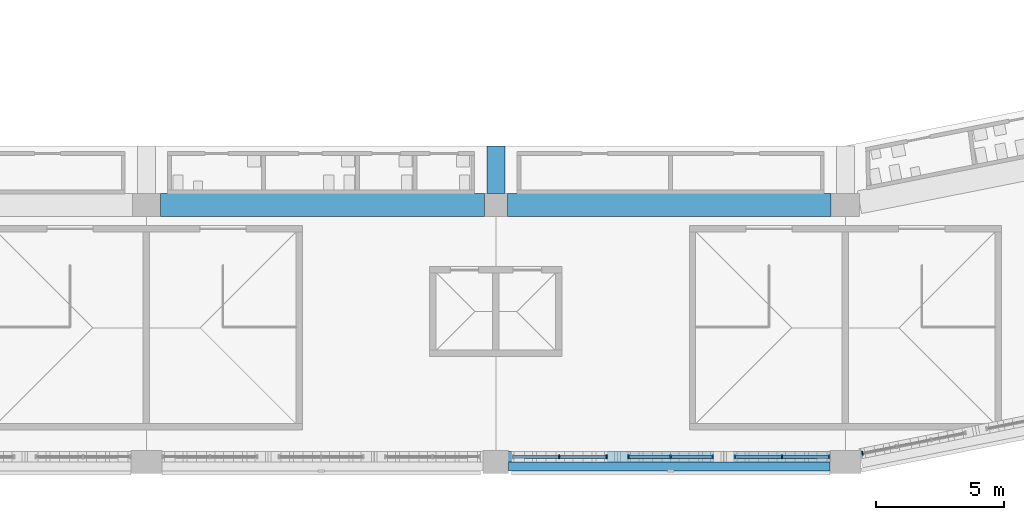
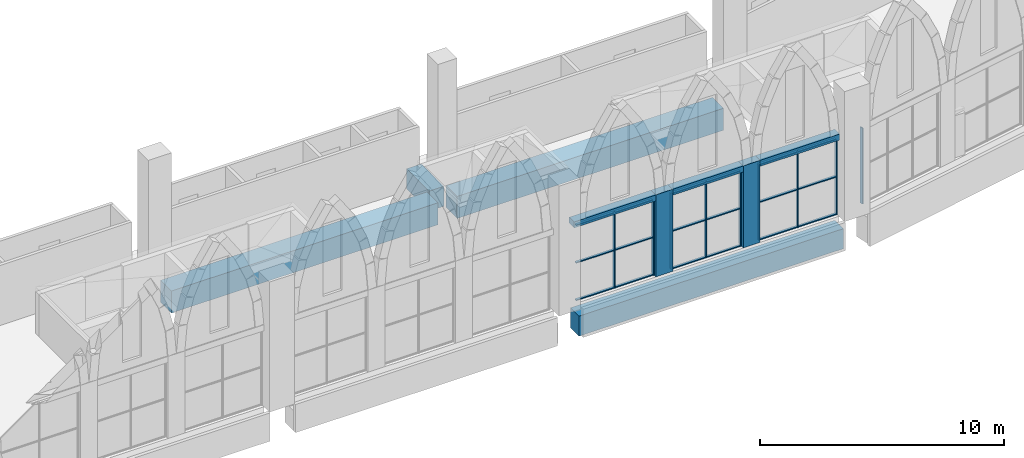
# One storey, part 11 of 130: 29 members, 7 beams, 4 elements without a shape of their own.
"""IFC4 building model written with IfcOpenShell, lengths in metres."""

from ifc_helpers import new_model, si_unit, direction, frame, origin, origin_2d, place, context, subcontext, project, spatial, rectangle, extrude, material, material_profile, profile_set, type_object, element, aggregate, save


model = new_model("IFC4")

# Units and contexts
model_context = context("Model", 3, precision=1e-05, world=origin(), true_north=direction((0.0, 1.0)))
body_context = subcontext(model_context, "Body", "Model", "MODEL_VIEW")
ifc_project = project(units=[si_unit("LENGTHUNIT", "METRE"), si_unit("AREAUNIT", "SQUARE_METRE"), si_unit("VOLUMEUNIT", "CUBIC_METRE"), si_unit("PLANEANGLEUNIT", "RADIAN"), si_unit("MASSUNIT", "GRAM", prefix="KILO")], contexts=[model_context])

# Site, building, storey
site_placement = place(None, origin())
site = spatial("IfcSite", under=ifc_project, at=site_placement, CompositionType="ELEMENT")
building_placement = place(site_placement, origin())
building = spatial("IfcBuilding", under=site, at=building_placement, Name="Ogive Plaza Stadium", CompositionType="ELEMENT")
storey_placement = place(building_placement, frame((0.0, 0.0, 22.5)))
storey = spatial("IfcBuildingStorey", under=building, at=storey_placement, Name="L05", CompositionType="ELEMENT", Elevation=22.5)

# Curtain wall, member
ifc_material_1 = material(Name="Bronze-anodised aluminium with laminated glass", Category="aluminium")
curtain_wall_type = type_object("IfcCurtainWallType", Name="Lancet curtain wall", PredefinedType="NOTDEFINED", material=ifc_material_1)
curtain_wall_1_placement = place(storey_placement, origin())
curtain_wall_1 = element("IfcCurtainWall", 1, at=curtain_wall_1_placement, inside=storey, type_object=curtain_wall_type, Name="CURTAIN WALL B11 L05", PredefinedType="NOTDEFINED")
ifc_material_2 = material(Name="Bronze-anodised aluminium", Category="aluminium")
ifc_material_profile_1 = material_profile(ifc_material_2, rectangle(XDim=0.14990234375, YDim=0.050048828125, at=origin_2d()), Name="AL 150x50")
ifc_profile_set_1 = profile_set([ifc_material_profile_1], Name="Bronze-anodised aluminium")
member_type_1 = type_object("IfcMemberType", Name="Curtain wall mullion 50x150", PredefinedType="MULLION", material=ifc_profile_set_1)
member_1_placement = place(storey_placement, frame((34.66357421875, -102.1640625, 0.0), z_axis=(0.0, 0.0, 1.0), x_axis=(0.195090322016, -0.980785280403, 0.0)))
member_1 = element("IfcMember", 2, at=member_1_placement, type_object=member_type_1, Name="CW-B11-L05.4 mullion 4", PredefinedType="MULLION", context=body_context, shape_type="SweptSolid", body=[
    extrude(rectangle(XDim=0.14990234375, YDim=0.050048828125, at=origin_2d()), origin(), (0.0, 0.0, 1.0), 3.800048828125),
])
aggregate(curtain_wall_1, [member_1])

# Curtain wall, members
curtain_wall_2_placement = place(storey_placement, origin())
curtain_wall_2 = element("IfcCurtainWall", 3, at=curtain_wall_2_placement, inside=storey, type_object=curtain_wall_type, Name="CURTAIN WALL B12 L05", PredefinedType="NOTDEFINED")
member_2_placement = place(storey_placement, frame((33.375, -102.300048828125, 0.0), z_axis=(0.0, 0.0, 1.0), x_axis=(0.0, -1.0, 0.0)))
member_2 = element("IfcMember", 4, at=member_2_placement, type_object=member_type_1, Name="CW-B12-L05.1 mullion 1", PredefinedType="MULLION", context=body_context, shape_type="SweptSolid", body=[
    extrude(rectangle(XDim=0.14990234375, YDim=0.050048828125, at=origin_2d()), origin(), (0.0, 0.0, 1.0), 3.800048828125),
])
member_3_placement = place(storey_placement, frame((31.533447265625, -102.300048828125, 0.0), z_axis=(0.0, 0.0, 1.0), x_axis=(0.0, -1.0, 0.0)))
member_3 = element("IfcMember", 5, at=member_3_placement, type_object=member_type_1, Name="CW-B12-L05.1 mullion 2", PredefinedType="MULLION", context=body_context, shape_type="SweptSolid", body=[
    extrude(rectangle(XDim=0.14990234375, YDim=0.050048828125, at=origin_2d()), origin(), (0.0, 0.0, 1.0), 3.800048828125),
])
member_4_placement = place(storey_placement, frame((29.691650390625, -102.300048828125, 0.0), z_axis=(0.0, 0.0, 1.0), x_axis=(0.0, -1.0, 0.0)))
member_4 = element("IfcMember", 6, at=member_4_placement, type_object=member_type_1, Name="CW-B12-L05.1 mullion 3", PredefinedType="MULLION", context=body_context, shape_type="SweptSolid", body=[
    extrude(rectangle(XDim=0.14990234375, YDim=0.050048828125, at=origin_2d()), origin(), (0.0, 0.0, 1.0), 3.800048828125),
])

curtain_wall_3_placement = place(storey_placement, origin())
curtain_wall_3 = element("IfcCurtainWall", 7, at=curtain_wall_3_placement, inside=storey, type_object=curtain_wall_type, Name="CURTAIN WALL B12 L05", PredefinedType="NOTDEFINED")
member_5_placement = place(storey_placement, frame((28.841552734375, -102.300048828125, 0.0), z_axis=(0.0, 0.0, 1.0), x_axis=(0.0, -1.0, 0.0)))
member_5 = element("IfcMember", 8, at=member_5_placement, type_object=member_type_1, Name="CW-B12-L05.2 mullion 1", PredefinedType="MULLION", context=body_context, shape_type="SweptSolid", body=[
    extrude(rectangle(XDim=0.14990234375, YDim=0.050048828125, at=origin_2d()), origin(), (0.0, 0.0, 1.0), 3.800048828125),
])
member_6_placement = place(storey_placement, frame((27.199951171875, -102.300048828125, 0.0), z_axis=(0.0, 0.0, 1.0), x_axis=(0.0, -1.0, 0.0)))
member_6 = element("IfcMember", 9, at=member_6_placement, type_object=member_type_1, Name="CW-B12-L05.2 mullion 2", PredefinedType="MULLION", context=body_context, shape_type="SweptSolid", body=[
    extrude(rectangle(XDim=0.14990234375, YDim=0.050048828125, at=origin_2d()), origin(), (0.0, 0.0, 1.0), 3.800048828125),
])
member_7_placement = place(storey_placement, frame((25.558349609375, -102.300048828125, 0.0), z_axis=(0.0, 0.0, 1.0), x_axis=(0.0, -1.0, 0.0)))
member_7 = element("IfcMember", 10, at=member_7_placement, type_object=member_type_1, Name="CW-B12-L05.2 mullion 3", PredefinedType="MULLION", context=body_context, shape_type="SweptSolid", body=[
    extrude(rectangle(XDim=0.14990234375, YDim=0.050048828125, at=origin_2d()), origin(), (0.0, 0.0, 1.0), 3.800048828125),
])

curtain_wall_4_placement = place(storey_placement, origin())
curtain_wall_4 = element("IfcCurtainWall", 11, at=curtain_wall_4_placement, inside=storey, type_object=curtain_wall_type, Name="CURTAIN WALL B12 L05", PredefinedType="NOTDEFINED")
member_8_placement = place(storey_placement, frame((24.708251953125, -102.300048828125, 0.0), z_axis=(0.0, 0.0, 1.0), x_axis=(0.0, -1.0, 0.0)))
member_8 = element("IfcMember", 12, at=member_8_placement, type_object=member_type_1, Name="CW-B12-L05.3 mullion 1", PredefinedType="MULLION", context=body_context, shape_type="SweptSolid", body=[
    extrude(rectangle(XDim=0.14990234375, YDim=0.050048828125, at=origin_2d()), origin(), (0.0, 0.0, 1.0), 3.800048828125),
])
member_9_placement = place(storey_placement, frame((22.86669921875, -102.300048828125, 0.0), z_axis=(0.0, 0.0, 1.0), x_axis=(0.0, -1.0, 0.0)))
member_9 = element("IfcMember", 13, at=member_9_placement, type_object=member_type_1, Name="CW-B12-L05.3 mullion 2", PredefinedType="MULLION", context=body_context, shape_type="SweptSolid", body=[
    extrude(rectangle(XDim=0.14990234375, YDim=0.050048828125, at=origin_2d()), origin(), (0.0, 0.0, 1.0), 3.800048828125),
])

# Member
ifc_material_3 = material(Name="Bronze-anodised aluminium", Category="aluminium")
ifc_material_profile_2 = material_profile(ifc_material_3, rectangle(XDim=0.1201171875, YDim=0.050048828125, at=origin_2d()), Name="AL 120x50")
ifc_profile_set_2 = profile_set([ifc_material_profile_2], Name="Bronze-anodised aluminium")
member_type_2 = type_object("IfcMemberType", Name="Curtain wall transom 50x120", PredefinedType="USERDEFINED", material=ifc_profile_set_2)
member_10_placement = place(storey_placement, frame((33.35009765625, -102.300048828125, 0.02490234375), z_axis=(-1.0, 0.0, 0.0), x_axis=(0.0, -1.0, 0.0)))
member_10 = element("IfcMember", 14, at=member_10_placement, type_object=member_type_2, Name="CW-B12-L05.1 transom 1.1", ObjectType="TRANSOM", PredefinedType="USERDEFINED", context=body_context, shape_type="SweptSolid", body=[
    extrude(rectangle(XDim=0.1201171875, YDim=0.050048828125, at=origin_2d()), origin(), (0.0, 0.0, 1.0), 1.791748046875),
])

member_11_placement = place(storey_placement, frame((33.35009765625, -102.300048828125, 1.89990234375), z_axis=(-1.0, 0.0, 0.0), x_axis=(0.0, -1.0, 0.0)))
member_11 = element("IfcMember", 15, at=member_11_placement, type_object=member_type_2, Name="CW-B12-L05.1 transom 1.2", ObjectType="TRANSOM", PredefinedType="USERDEFINED", context=body_context, shape_type="SweptSolid", body=[
    extrude(rectangle(XDim=0.1201171875, YDim=0.050048828125, at=origin_2d()), origin(), (0.0, 0.0, 1.0), 1.791748046875),
])

member_12_placement = place(storey_placement, frame((33.35009765625, -102.300048828125, 3.77490234375), z_axis=(-1.0, 0.0, 0.0), x_axis=(0.0, -1.0, 0.0)))
member_12 = element("IfcMember", 16, at=member_12_placement, type_object=member_type_2, Name="CW-B12-L05.1 transom 1.3", ObjectType="TRANSOM", PredefinedType="USERDEFINED", context=body_context, shape_type="SweptSolid", body=[
    extrude(rectangle(XDim=0.1201171875, YDim=0.050048828125, at=origin_2d()), origin(), (0.0, 0.0, 1.0), 1.791748046875),
])

member_13_placement = place(storey_placement, frame((31.50830078125, -102.300048828125, 0.02490234375), z_axis=(-1.0, 0.0, 0.0), x_axis=(0.0, -1.0, 0.0)))
member_13 = element("IfcMember", 17, at=member_13_placement, type_object=member_type_2, Name="CW-B12-L05.1 transom 2.1", ObjectType="TRANSOM", PredefinedType="USERDEFINED", context=body_context, shape_type="SweptSolid", body=[
    extrude(rectangle(XDim=0.1201171875, YDim=0.050048828125, at=origin_2d()), origin(), (0.0, 0.0, 1.0), 1.791748046875),
])

member_14_placement = place(storey_placement, frame((31.50830078125, -102.300048828125, 1.89990234375), z_axis=(-1.0, 0.0, 0.0), x_axis=(0.0, -1.0, 0.0)))
member_14 = element("IfcMember", 18, at=member_14_placement, type_object=member_type_2, Name="CW-B12-L05.1 transom 2.2", ObjectType="TRANSOM", PredefinedType="USERDEFINED", context=body_context, shape_type="SweptSolid", body=[
    extrude(rectangle(XDim=0.1201171875, YDim=0.050048828125, at=origin_2d()), origin(), (0.0, 0.0, 1.0), 1.791748046875),
])

member_15_placement = place(storey_placement, frame((31.50830078125, -102.300048828125, 3.77490234375), z_axis=(-1.0, 0.0, 0.0), x_axis=(0.0, -1.0, 0.0)))
member_15 = element("IfcMember", 19, at=member_15_placement, type_object=member_type_2, Name="CW-B12-L05.1 transom 2.3", ObjectType="TRANSOM", PredefinedType="USERDEFINED", context=body_context, shape_type="SweptSolid", body=[
    extrude(rectangle(XDim=0.1201171875, YDim=0.050048828125, at=origin_2d()), origin(), (0.0, 0.0, 1.0), 1.791748046875),
])

aggregate(curtain_wall_2, [member_2, member_3, member_4, member_10, member_11, member_12, member_13, member_14, member_15])

member_16_placement = place(storey_placement, frame((28.816650390625, -102.300048828125, 0.02490234375), z_axis=(-1.0, 0.0, 0.0), x_axis=(0.0, -1.0, 0.0)))
member_16 = element("IfcMember", 20, at=member_16_placement, type_object=member_type_2, Name="CW-B12-L05.2 transom 1.1", ObjectType="TRANSOM", PredefinedType="USERDEFINED", context=body_context, shape_type="SweptSolid", body=[
    extrude(rectangle(XDim=0.1201171875, YDim=0.050048828125, at=origin_2d()), origin(), (0.0, 0.0, 1.0), 1.591552734375),
])

member_17_placement = place(storey_placement, frame((28.816650390625, -102.300048828125, 1.89990234375), z_axis=(-1.0, 0.0, 0.0), x_axis=(0.0, -1.0, 0.0)))
member_17 = element("IfcMember", 21, at=member_17_placement, type_object=member_type_2, Name="CW-B12-L05.2 transom 1.2", ObjectType="TRANSOM", PredefinedType="USERDEFINED", context=body_context, shape_type="SweptSolid", body=[
    extrude(rectangle(XDim=0.1201171875, YDim=0.050048828125, at=origin_2d()), origin(), (0.0, 0.0, 1.0), 1.591552734375),
])

member_18_placement = place(storey_placement, frame((28.816650390625, -102.300048828125, 3.77490234375), z_axis=(-1.0, 0.0, 0.0), x_axis=(0.0, -1.0, 0.0)))
member_18 = element("IfcMember", 22, at=member_18_placement, type_object=member_type_2, Name="CW-B12-L05.2 transom 1.3", ObjectType="TRANSOM", PredefinedType="USERDEFINED", context=body_context, shape_type="SweptSolid", body=[
    extrude(rectangle(XDim=0.1201171875, YDim=0.050048828125, at=origin_2d()), origin(), (0.0, 0.0, 1.0), 1.591552734375),
])

member_19_placement = place(storey_placement, frame((27.175048828125, -102.300048828125, 0.02490234375), z_axis=(-1.0, 0.0, 0.0), x_axis=(0.0, -1.0, 0.0)))
member_19 = element("IfcMember", 23, at=member_19_placement, type_object=member_type_2, Name="CW-B12-L05.2 transom 2.1", ObjectType="TRANSOM", PredefinedType="USERDEFINED", context=body_context, shape_type="SweptSolid", body=[
    extrude(rectangle(XDim=0.1201171875, YDim=0.050048828125, at=origin_2d()), origin(), (0.0, 0.0, 1.0), 1.591796875),
])

member_20_placement = place(storey_placement, frame((27.175048828125, -102.300048828125, 1.89990234375), z_axis=(-1.0, 0.0, 0.0), x_axis=(0.0, -1.0, 0.0)))
member_20 = element("IfcMember", 24, at=member_20_placement, type_object=member_type_2, Name="CW-B12-L05.2 transom 2.2", ObjectType="TRANSOM", PredefinedType="USERDEFINED", context=body_context, shape_type="SweptSolid", body=[
    extrude(rectangle(XDim=0.1201171875, YDim=0.050048828125, at=origin_2d()), origin(), (0.0, 0.0, 1.0), 1.591796875),
])

member_21_placement = place(storey_placement, frame((27.175048828125, -102.300048828125, 3.77490234375), z_axis=(-1.0, 0.0, 0.0), x_axis=(0.0, -1.0, 0.0)))
member_21 = element("IfcMember", 25, at=member_21_placement, type_object=member_type_2, Name="CW-B12-L05.2 transom 2.3", ObjectType="TRANSOM", PredefinedType="USERDEFINED", context=body_context, shape_type="SweptSolid", body=[
    extrude(rectangle(XDim=0.1201171875, YDim=0.050048828125, at=origin_2d()), origin(), (0.0, 0.0, 1.0), 1.591796875),
])

aggregate(curtain_wall_3, [member_5, member_6, member_7, member_16, member_17, member_18, member_19, member_20, member_21])

member_22_placement = place(storey_placement, frame((24.683349609375, -102.300048828125, 0.02490234375), z_axis=(-1.0, 0.0, 0.0), x_axis=(0.0, -1.0, 0.0)))
member_22 = element("IfcMember", 26, at=member_22_placement, type_object=member_type_2, Name="CW-B12-L05.3 transom 1.1", ObjectType="TRANSOM", PredefinedType="USERDEFINED", context=body_context, shape_type="SweptSolid", body=[
    extrude(rectangle(XDim=0.1201171875, YDim=0.050048828125, at=origin_2d()), origin(), (0.0, 0.0, 1.0), 1.791748046875),
])

member_23_placement = place(storey_placement, frame((24.683349609375, -102.300048828125, 1.89990234375), z_axis=(-1.0, 0.0, 0.0), x_axis=(0.0, -1.0, 0.0)))
member_23 = element("IfcMember", 27, at=member_23_placement, type_object=member_type_2, Name="CW-B12-L05.3 transom 1.2", ObjectType="TRANSOM", PredefinedType="USERDEFINED", context=body_context, shape_type="SweptSolid", body=[
    extrude(rectangle(XDim=0.1201171875, YDim=0.050048828125, at=origin_2d()), origin(), (0.0, 0.0, 1.0), 1.791748046875),
])

member_24_placement = place(storey_placement, frame((24.683349609375, -102.300048828125, 3.77490234375), z_axis=(-1.0, 0.0, 0.0), x_axis=(0.0, -1.0, 0.0)))
member_24 = element("IfcMember", 28, at=member_24_placement, type_object=member_type_2, Name="CW-B12-L05.3 transom 1.3", ObjectType="TRANSOM", PredefinedType="USERDEFINED", context=body_context, shape_type="SweptSolid", body=[
    extrude(rectangle(XDim=0.1201171875, YDim=0.050048828125, at=origin_2d()), origin(), (0.0, 0.0, 1.0), 1.791748046875),
])

member_25_placement = place(storey_placement, frame((22.841552734375, -102.300048828125, 0.02490234375), z_axis=(-1.0, 0.0, 0.0), x_axis=(0.0, -1.0, 0.0)))
member_25 = element("IfcMember", 29, at=member_25_placement, type_object=member_type_2, Name="CW-B12-L05.3 transom 2.1", ObjectType="TRANSOM", PredefinedType="USERDEFINED", context=body_context, shape_type="SweptSolid", body=[
    extrude(rectangle(XDim=0.1201171875, YDim=0.050048828125, at=origin_2d()), origin(), (0.0, 0.0, 1.0), 1.79150390625),
])

member_26_placement = place(storey_placement, frame((22.841552734375, -102.300048828125, 1.89990234375), z_axis=(-1.0, 0.0, 0.0), x_axis=(0.0, -1.0, 0.0)))
member_26 = element("IfcMember", 30, at=member_26_placement, type_object=member_type_2, Name="CW-B12-L05.3 transom 2.2", ObjectType="TRANSOM", PredefinedType="USERDEFINED", context=body_context, shape_type="SweptSolid", body=[
    extrude(rectangle(XDim=0.1201171875, YDim=0.050048828125, at=origin_2d()), origin(), (0.0, 0.0, 1.0), 1.79150390625),
])

member_27_placement = place(storey_placement, frame((22.841552734375, -102.300048828125, 3.77490234375), z_axis=(-1.0, 0.0, 0.0), x_axis=(0.0, -1.0, 0.0)))
member_27 = element("IfcMember", 31, at=member_27_placement, type_object=member_type_2, Name="CW-B12-L05.3 transom 2.3", ObjectType="TRANSOM", PredefinedType="USERDEFINED", context=body_context, shape_type="SweptSolid", body=[
    extrude(rectangle(XDim=0.1201171875, YDim=0.050048828125, at=origin_2d()), origin(), (0.0, 0.0, 1.0), 1.79150390625),
])

aggregate(curtain_wall_4, [member_8, member_9, member_22, member_23, member_24, member_25, member_26, member_27])

# Members
ifc_material_4 = material(Name="Concrete C45/55 precast", Category="concrete")
ifc_material_profile_3 = material_profile(ifc_material_4, rectangle(XDim=0.39990234375, YDim=0.800048828125, at=origin_2d()), Name="RC 400x800")
ifc_profile_set_3 = profile_set([ifc_material_profile_3], Name="Concrete C45/55 precast")
member_type_3 = type_object("IfcMemberType", Name="Precast colonette 800x400", PredefinedType="POST", material=ifc_profile_set_3)
for number, where, z_axis, x_axis, name in (
    (32, (29.2666015625, -102.300048828125, 0.0), (0.0, 0.0, 1.0), (0.0, -1.0, 0.0), "COLONETTE B12 1"),
    (33, (25.13330078125, -102.300048828125, 0.0), (0.0, 0.0, 1.0), (0.0, -1.0, 0.0), "COLONETTE B12 2"),
):
    element("IfcMember", number, at=place(storey_placement, frame(where, z_axis=z_axis, x_axis=x_axis)), inside=storey, type_object=member_type_3, Name=name, PredefinedType="POST", context=body_context, shape_type="SweptSolid", body=[
        extrude(rectangle(XDim=0.39990234375, YDim=0.800048828125, at=origin_2d()), origin(), (0.0, 0.0, 1.0), 4.10009765625),
    ])

# Beams
ifc_material_5 = material(Name="Concrete C45/55 precast", Category="concrete")
ifc_material_profile_4 = material_profile(ifc_material_5, rectangle(XDim=0.39990234375, YDim=0.300048828125, at=origin_2d()), Name="RC 400x300")
ifc_profile_set_4 = profile_set([ifc_material_profile_4], Name="Concrete C45/55 precast")
beam_type_1 = type_object("IfcBeamType", Name="Precast tympanum lintel 400x300", PredefinedType="BEAM", material=ifc_profile_set_4)
beam_1_placement = place(storey_placement, frame((33.429931640625, -102.300048828125, 3.949951171875), z_axis=(-1.0, 0.0, 0.0), x_axis=(0.0, -1.0, 0.0)))
element("IfcBeam", 34, at=beam_1_placement, inside=storey, type_object=beam_type_1, Name="TYMPANUM LINTEL B12 1", PredefinedType="BEAM", context=body_context, shape_type="SweptSolid", body=[
    extrude(rectangle(XDim=0.39990234375, YDim=0.300048828125, at=origin_2d()), origin(), (0.0, 0.0, 1.0), 3.793212890625),
])
beam_2_placement = place(storey_placement, frame((28.896728515625, -102.300048828125, 3.949951171875), z_axis=(-1.0, 0.0, 0.0), x_axis=(0.0, -1.0, 0.0)))
element("IfcBeam", 35, at=beam_2_placement, inside=storey, type_object=beam_type_1, Name="TYMPANUM LINTEL B12 2", PredefinedType="BEAM", context=body_context, shape_type="SweptSolid", body=[
    extrude(rectangle(XDim=0.39990234375, YDim=0.300048828125, at=origin_2d()), origin(), (0.0, 0.0, 1.0), 3.393310546875),
])
beam_3_placement = place(storey_placement, frame((24.763427734375, -102.300048828125, 3.949951171875), z_axis=(-1.0, 0.0, 0.0), x_axis=(0.0, -1.0, 0.0)))
element("IfcBeam", 36, at=beam_3_placement, inside=storey, type_object=beam_type_1, Name="TYMPANUM LINTEL B12 3", PredefinedType="BEAM", context=body_context, shape_type="SweptSolid", body=[
    extrude(rectangle(XDim=0.39990234375, YDim=0.300048828125, at=origin_2d()), origin(), (0.0, 0.0, 1.0), 3.893310546875),
])
ifc_material_6 = material(Name="Concrete C40/50", Category="concrete")
ifc_material_profile_5 = material_profile(ifc_material_6, rectangle(XDim=0.699951171875, YDim=1.0, at=origin_2d()), Name="RC 700x1000")
ifc_profile_set_5 = profile_set([ifc_material_profile_5], Name="Concrete C40/50")
beam_type_2 = type_object("IfcBeamType", Name="RC radial beam 700x1000", PredefinedType="BEAM", material=ifc_profile_set_5)
beam_4_placement = place(storey_placement, frame((20.39990234375, -90.199951171875, -0.909912109375), z_axis=(0.0, -1.0, 0.0), x_axis=(1.0, 0.0, 0.0)))
element("IfcBeam", 37, at=beam_4_placement, inside=storey, type_object=beam_type_2, Name="Raker tail beam UT R13", PredefinedType="BEAM", context=body_context, shape_type="SweptSolid", body=[
    extrude(rectangle(XDim=0.699951171875, YDim=1.0, at=origin_2d()), origin(), (0.0, 0.0, 1.0), 1.85009765625),
])
ifc_material_7 = material(Name="Concrete C40/50", Category="concrete")
ifc_material_profile_6 = material_profile(ifc_material_7, rectangle(XDim=0.89990234375, YDim=1.10009765625, at=origin_2d()), Name="RC 900x1100")
ifc_profile_set_6 = profile_set([ifc_material_profile_6], Name="Concrete C40/50")
beam_type_3 = type_object("IfcBeamType", Name="RC ring beam 900x1100", PredefinedType="BEAM", material=ifc_profile_set_6)
for number, where, z_axis, x_axis, name in (
    (38, (33.449951171875, -92.5, -0.9599609375), (-1.0, 0.0, 0.0), (0.0, -1.0, 0.0), "Ring beam F4 L05 B12"),
    (39, (19.949951171875, -92.5, -0.9599609375), (-1.0, 0.0, 0.0), (0.0, -1.0, 0.0), "Ring beam F4 L05 B13"),
):
    element("IfcBeam", number, at=place(storey_placement, frame(where, z_axis=z_axis, x_axis=x_axis)), inside=storey, type_object=beam_type_3, Name=name, PredefinedType="BEAM", context=body_context, shape_type="SweptSolid", body=[
        extrude(rectangle(XDim=0.89990234375, YDim=1.10009765625, at=origin_2d()), origin(), (0.0, 0.0, 1.0), 12.599853515625),
    ])
ifc_material_8 = material(Name="Concrete C40/50", Category="concrete")
ifc_material_profile_7 = material_profile(ifc_material_8, rectangle(XDim=0.699951171875, YDim=1.0, at=origin_2d()), Name="RC 700x1000")
ifc_profile_set_7 = profile_set([ifc_material_profile_7], Name="Concrete C40/50")
beam_type_4 = type_object("IfcBeamType", Name="RC spandrel beam 700x1000", PredefinedType="SPANDREL", material=ifc_profile_set_7)
beam_5_placement = place(storey_placement, frame((33.39990234375, -102.5, -0.909912109375), z_axis=(-1.0, 0.0, 0.0), x_axis=(0.0, -1.0, 0.0)))
element("IfcBeam", 40, at=beam_5_placement, inside=storey, type_object=beam_type_4, Name="Ring beam F5 L05 B12", PredefinedType="SPANDREL", context=body_context, shape_type="SweptSolid", body=[
    extrude(rectangle(XDim=0.699951171875, YDim=1.0, at=origin_2d()), origin(), (0.0, 0.0, 1.0), 12.5),
])

save(model, "model.ifc")
